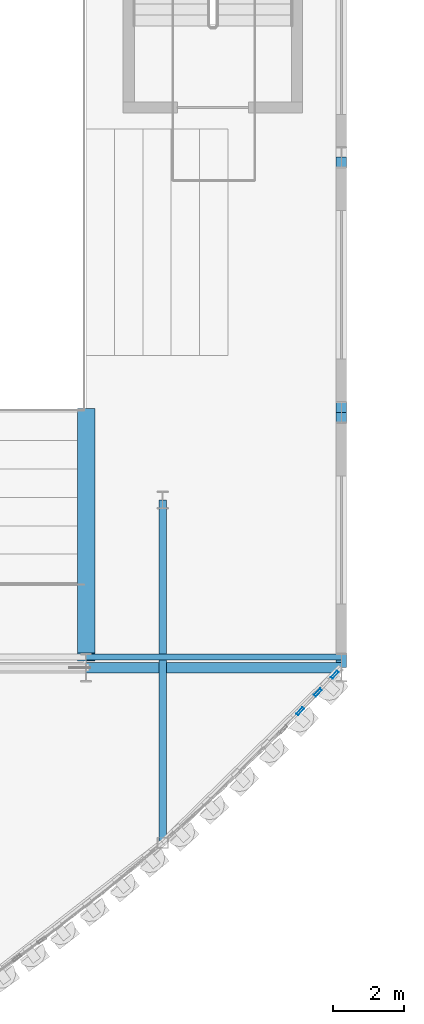
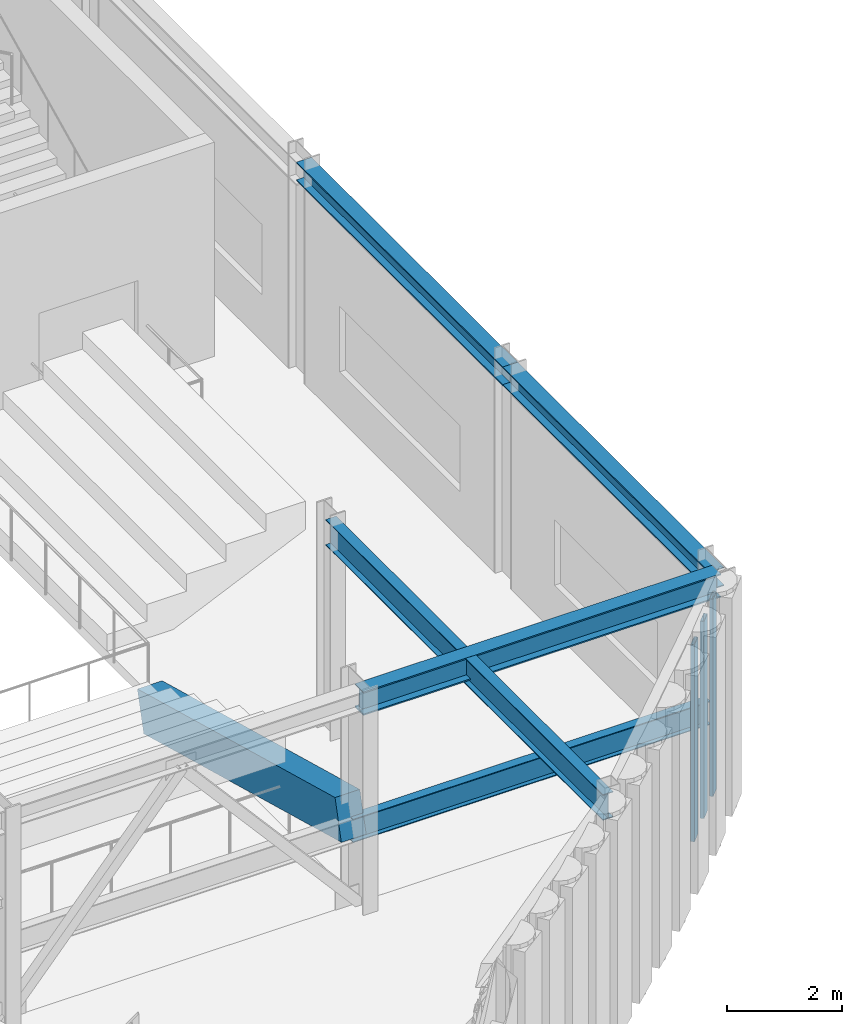
# One storey, part 55 of 121: 6 beams, 3 members, 1 element without a shape of its own.
"""IFC4 building model written with IfcOpenShell, lengths in metres."""

from ifc_helpers import new_model, si_unit, direction, frame, origin, origin_2d, place, context, subcontext, project, spatial, rectangle, hollow_rectangle, i_section, extrude, material, layer, layer_set, material_profile, profile_set, type_object, element, aggregate, save


model = new_model("IFC4")

# Units and contexts
model_context = context("Model", 3, precision=1e-05, world=origin(), true_north=direction((0.0, 1.0)))
body_context = subcontext(model_context, "Body", "Model", "MODEL_VIEW")
ifc_project = project(units=[si_unit("LENGTHUNIT", "METRE"), si_unit("AREAUNIT", "SQUARE_METRE"), si_unit("VOLUMEUNIT", "CUBIC_METRE"), si_unit("PLANEANGLEUNIT", "RADIAN"), si_unit("MASSUNIT", "GRAM", prefix="KILO")], contexts=[model_context])

# Site, building, storey
site_placement = place(None, origin())
site = spatial("IfcSite", under=ifc_project, at=site_placement, CompositionType="ELEMENT")
building_placement = place(site_placement, origin())
building = spatial("IfcBuilding", under=site, at=building_placement, Name="Solvadek Multi-Sports Hall", CompositionType="ELEMENT")
storey_placement = place(building_placement, frame((0.0, 0.0, 4.800048828125)))
storey = spatial("IfcBuildingStorey", under=building, at=storey_placement, Name="L01", CompositionType="ELEMENT", Elevation=4.800048828125)

# Curtain wall, members
ifc_material_1 = material(Name="Anodised aluminium", Category="aluminium")
ifc_layer = layer(ifc_material_1, 0.159912109375, Name="Anodised aluminium")
ifc_layer_set = layer_set([ifc_layer], Name="Anodised aluminium")
curtain_wall_type = type_object("IfcCurtainWallType", Name="ENV-CW-218X420", PredefinedType="USERDEFINED", material=ifc_layer_set)
curtain_wall_placement = place(storey_placement, origin())
curtain_wall = element("IfcCurtainWall", 1, at=curtain_wall_placement, inside=storey, type_object=curtain_wall_type, Name="L01 Crescent Curved Curtain Wall #113", ObjectType="CURTAIN WALL", PredefinedType="USERDEFINED")
ifc_material_profile_1 = material_profile(ifc_material_1, hollow_rectangle(XDim=0.070068359375, YDim=0.25, WallThickness=0.0048828125, at=origin_2d()), Name="ALU-M 250x70x5")
ifc_profile_set_1 = profile_set([ifc_material_profile_1], Name="Anodised aluminium")
member_type = type_object("IfcMemberType", Name="ENV-CWM-05", PredefinedType="MULLION", material=ifc_profile_set_1)
member_1_placement = place(storey_placement, frame((135.638916015625, 4.76708984375, 0.0), z_axis=(0.0, 0.0, 1.0), x_axis=(-0.727999350669, 0.685577818651, 0.0)))
member_1 = element("IfcMember", 2, at=member_1_placement, type_object=member_type, Name="CW-37 mullion 2", PredefinedType="MULLION", context=body_context, shape_type="SweptSolid", body=[
    extrude(hollow_rectangle(XDim=0.070068359375, YDim=0.25, WallThickness=0.0048828125, at=origin_2d()), origin(), (0.0, 0.0, 1.0), 4.199951171875),
])
member_2_placement = place(storey_placement, frame((136.13720703125, 5.296142578125, 0.0), z_axis=(0.0, 0.0, 1.0), x_axis=(-0.727999350669, 0.685577818651, 0.0)))
member_2 = element("IfcMember", 3, at=member_2_placement, type_object=member_type, Name="CW-37 mullion 3", PredefinedType="MULLION", context=body_context, shape_type="SweptSolid", body=[
    extrude(hollow_rectangle(XDim=0.070068359375, YDim=0.25, WallThickness=0.0048828125, at=origin_2d()), origin(), (0.0, 0.0, 1.0), 4.199951171875),
])
member_3_placement = place(storey_placement, frame((136.611572265625, 5.7998046875, 0.0), z_axis=(0.0, 0.0, 1.0), x_axis=(-0.727999350669, 0.685577818651, 0.0)))
member_3 = element("IfcMember", 4, at=member_3_placement, type_object=member_type, Name="CW-37 mullion 4", PredefinedType="MULLION", context=body_context, shape_type="SweptSolid", body=[
    extrude(hollow_rectangle(XDim=0.070068359375, YDim=0.25, WallThickness=0.0048828125, at=origin_2d()), origin(), (0.0, 0.0, 1.0), 4.199951171875),
])
aggregate(curtain_wall, [member_1, member_2, member_3])

# Beams
ifc_material_2 = material(Name="Steel E350 (350 MPa)", Category="steel")
ifc_material_profile_2 = material_profile(ifc_material_2, i_section(OverallWidth=0.179931640625, OverallDepth=0.5, WebThickness=0.01025390625, FlangeThickness=0.01708984375, at=origin_2d()), Name="ISMB 500")
ifc_profile_set_2 = profile_set([ifc_material_profile_2], Name="Steel E350 (350 MPa)")
beam_type_1 = type_object("IfcBeamType", Name="STR-BM-ISMB500", PredefinedType="BEAM", material=ifc_profile_set_2)
beam_1_placement = place(storey_placement, frame((129.60009765625, 6.300048828125, 1.3798828125), z_axis=(1.0, 0.0, 0.0), x_axis=(0.0, 1.0, 0.0)))
element("IfcBeam", 5, at=beam_1_placement, inside=storey, type_object=beam_type_1, Name="L01 S Stand Raker Header Girder #7", PredefinedType="BEAM", context=body_context, shape_type="SweptSolid", body=[
    extrude(i_section(OverallWidth=0.179931640625, OverallDepth=0.5, WebThickness=0.01025390625, FlangeThickness=0.01708984375, at=origin_2d()), origin(), (0.0, 0.0, 1.0), 7.199951171875),
])
ifc_material_profile_3 = material_profile(ifc_material_2, i_section(OverallWidth=0.2099609375, OverallDepth=0.550048828125, WebThickness=0.010986328125, FlangeThickness=0.01708984375, at=origin_2d()), Name="NPB 550")
ifc_profile_set_3 = profile_set([ifc_material_profile_3], Name="Steel E350 (350 MPa)")
beam_type_2 = type_object("IfcBeamType", Name="STR-BM-NPB550", PredefinedType="BEAM", material=ifc_profile_set_3)
beam_2_placement = place(storey_placement, frame((131.760009765625, 1.05615234375, 4.284912109375), z_axis=(0.0, 1.0, 0.0), x_axis=(-1.0, 0.0, 0.0)))
element("IfcBeam", 6, at=beam_2_placement, inside=storey, type_object=beam_type_2, Name="L01 Girder B-05 #1292", PredefinedType="BEAM", context=body_context, shape_type="SweptSolid", body=[
    extrude(i_section(OverallWidth=0.2099609375, OverallDepth=0.550048828125, WebThickness=0.010986328125, FlangeThickness=0.01708984375, at=origin_2d()), origin(), (0.0, 0.0, 1.0), 9.671875),
])
ifc_material_3 = material(Name="Concrete M40", Category="concrete")
ifc_material_profile_4 = material_profile(ifc_material_3, rectangle(XDim=0.5, YDim=0.85009765625, at=origin_2d()), Name="RC RAKER 500x850")
ifc_profile_set_4 = profile_set([ifc_material_profile_4], Name="Concrete M40")
beam_type_3 = type_object("IfcBeamType", Name="STR-RAK-RC500", PredefinedType="USERDEFINED", material=ifc_profile_set_4)
beam_3_placement = place(storey_placement, frame((129.60009765625, 13.199951171875, -0.219970703125), z_axis=(0.0, -0.965185787427, 0.26156528009), x_axis=(1.0, 0.0, 0.0)))
element("IfcBeam", 7, at=beam_3_placement, inside=storey, type_object=beam_type_3, Name="South Stand Raker Beam #11", ObjectType="RAKER BEAM", PredefinedType="USERDEFINED", context=body_context, shape_type="SweptSolid", body=[
    extrude(rectangle(XDim=0.5, YDim=0.85009765625, at=origin_2d()), origin(), (0.0, 0.0, 1.0), 7.148681640625),
])
ifc_material_profile_5 = material_profile(ifc_material_2, i_section(OverallWidth=0.300048828125, OverallDepth=0.39990234375, WebThickness=0.013427734375, FlangeThickness=0.02392578125, at=origin_2d()), Name="WPB 400")
ifc_profile_set_5 = profile_set([ifc_material_profile_5], Name="Steel E350 (350 MPa)")
beam_type_4 = type_object("IfcBeamType", Name="STR-SPN-WPB400", PredefinedType="SPANDREL", material=ifc_profile_set_5)
for number, where, z_axis, x_axis, name in (
    (8, (136.800048828125, 6.0, 4.35986328125), (0.0, 1.0, 0.0), (-1.0, 0.0, 0.0), "L01 Girder SP-02 #1293"),
    (9, (136.800048828125, 13.199951171875, 4.35986328125), (0.0, 1.0, 0.0), (-1.0, 0.0, 0.0), "L01 Girder SP-02 #1294"),
):
    element("IfcBeam", number, at=place(storey_placement, frame(where, z_axis=z_axis, x_axis=x_axis)), inside=storey, type_object=beam_type_4, Name=name, PredefinedType="SPANDREL", context=body_context, shape_type="SweptSolid", body=[
        extrude(i_section(OverallWidth=0.300048828125, OverallDepth=0.39990234375, WebThickness=0.013427734375, FlangeThickness=0.02392578125, at=origin_2d()), origin(), (0.0, 0.0, 1.0), 7.199951171875),
    ])
ifc_material_profile_6 = material_profile(ifc_material_2, i_section(OverallWidth=0.300048828125, OverallDepth=0.5, WebThickness=0.014404296875, FlangeThickness=0.028076171875, at=origin_2d()), Name="WPB 500")
ifc_profile_set_6 = profile_set([ifc_material_profile_6], Name="Steel E350 (350 MPa)")
beam_type_5 = type_object("IfcBeamType", Name="STR-SPN-WPB500", PredefinedType="SPANDREL", material=ifc_profile_set_6)
beam_4_placement = place(storey_placement, frame((129.60009765625, 6.0, 4.31005859375), z_axis=(1.0, 0.0, 0.0), x_axis=(0.0, 1.0, 0.0)))
element("IfcBeam", 10, at=beam_4_placement, inside=storey, type_object=beam_type_5, Name="L01 Girder SP-01 #962", PredefinedType="SPANDREL", context=body_context, shape_type="SweptSolid", body=[
    extrude(i_section(OverallWidth=0.300048828125, OverallDepth=0.5, WebThickness=0.014404296875, FlangeThickness=0.028076171875, at=origin_2d()), origin(), (0.0, 0.0, 1.0), 7.199951171875),
])

save(model, "model.ifc")
